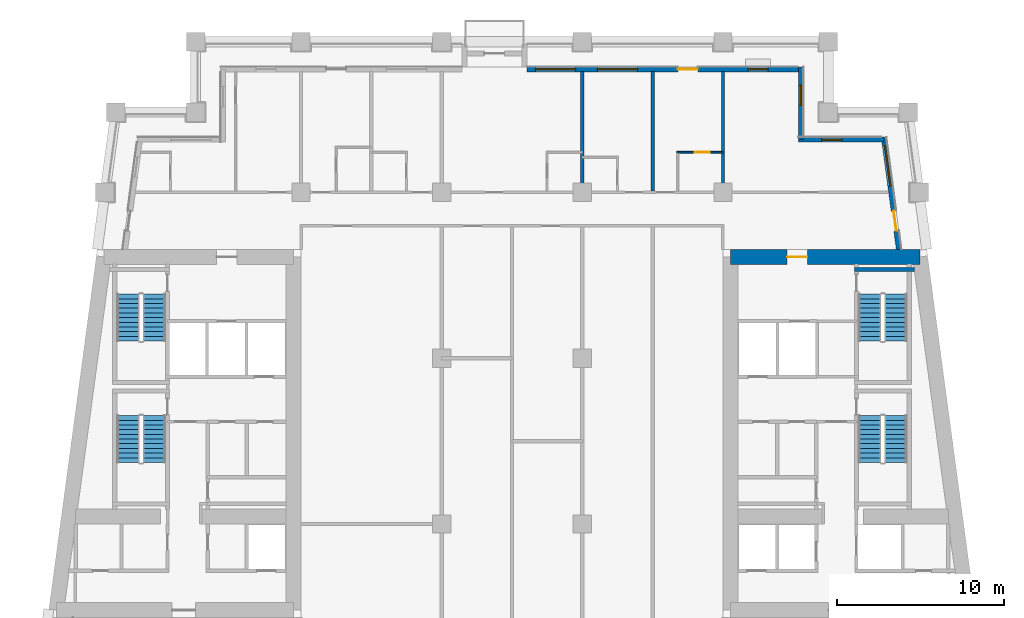
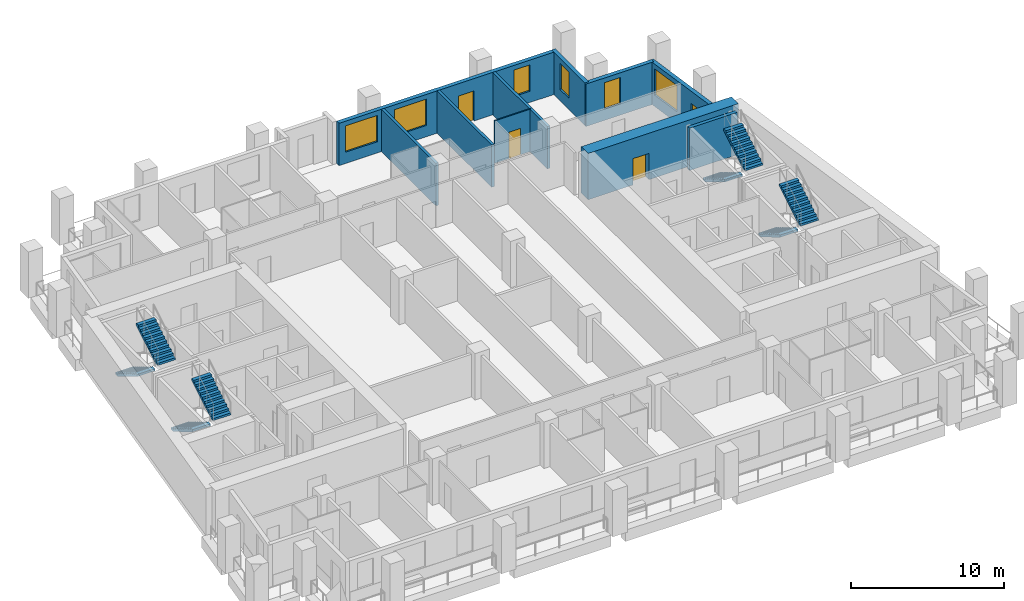
# One storey, part 7 of 12: 10 walls, 8 stair flights, 6 windows, 4 doors, 10 openings, 4 elements without a shape of their own.
"""IFC4 building model written with IfcOpenShell, lengths in metres."""

from ifc_helpers import new_model, si_unit, direction, frame, frame_2d, origin, place, context, subcontext, project, spatial, polyline, rectangle, outline, extrude, material, layer, layer_set, type_object, element, fill, aggregate, save


model = new_model("IFC4")

# Units and contexts
model_context = context("Model", 3, precision=1e-05, world=origin(), true_north=direction((0.0, 1.0)))
body_context = subcontext(model_context, "Body", "Model", "MODEL_VIEW")
ifc_project = project(units=[si_unit("LENGTHUNIT", "METRE"), si_unit("AREAUNIT", "SQUARE_METRE"), si_unit("VOLUMEUNIT", "CUBIC_METRE"), si_unit("PLANEANGLEUNIT", "RADIAN"), si_unit("MASSUNIT", "GRAM", prefix="KILO")], contexts=[model_context])

# Site, building, storey
site_placement = place(None, origin())
site = spatial("IfcSite", under=ifc_project, at=site_placement, CompositionType="ELEMENT")
building_placement = place(site_placement, origin())
building = spatial("IfcBuilding", under=site, at=building_placement, Name="Candeia Pilgrim Tower and Theatre", CompositionType="ELEMENT")
storey_placement = place(building_placement, frame((0.0, 0.0, 162.60009765625)))
storey = spatial("IfcBuildingStorey", under=building, at=storey_placement, Name="L38", CompositionType="ELEMENT", Elevation=162.60009765625)

# Wall, opening, door
ifc_material_1 = material(Name="Concrete C60/75", Category="concrete")
ifc_layer_1 = layer(ifc_material_1, 0.89990234375)
ifc_layer_set_1 = layer_set([ifc_layer_1], Name="Core wall 900 C60/75")
wall_type_1 = type_object("IfcWallType", Name="Core wall 900 C60/75", PredefinedType="SHEAR", material=ifc_layer_set_1)
wall_1_placement = place(storey_placement, frame((126.449951171875, 131.949951171875, 0.0), z_axis=(0.0, 0.0, 1.0), x_axis=(1.0, 0.0, 0.0)))
wall_1 = element("IfcWall", 1, at=wall_1_placement, inside=storey, type_object=wall_type_1, Name="Core wall E1", PredefinedType="SHEAR", context=body_context, shape_type="SweptSolid", body=[
    extrude(rectangle(XDim=11.32568359375, YDim=0.89990234375, at=frame_2d((5.662841796875, 0.0))), origin(), (0.0, 0.0, 1.0), 3.699951171875),
])
opening_1_placement = place(wall_1_placement, frame((3.386474609375, 0.0, 0.0)))
opening_1 = element("IfcOpeningElement", 2, at=opening_1_placement, cuts=wall_1, Name="Opening L38-D059", PredefinedType="OPENING", context=body_context, shape_type="SweptSolid", body=[
    extrude(rectangle(XDim=1.199951171875, YDim=2.10009765625, at=frame_2d((0.60009765625, 1.050048828125))), frame((0.0, 0.4599609375, 0.0), z_axis=(0.0, -1.0, 0.0), x_axis=(1.0, 0.0, 0.0)), (0.0, 0.0, 1.0), 0.919921875),
])
ifc_material_2 = material(Name="Steel fire door set", Category="steel")
door_type_1 = type_object("IfcDoorType", Name="D-1200-FD60", OperationType="NOTDEFINED", PredefinedType="DOOR", material=ifc_material_2)
door_1_placement = place(opening_1_placement, origin())
door_1 = element("IfcDoor", 3, at=door_1_placement, inside=storey, type_object=door_type_1, Name="Door L38-D059", OperationType="SINGLE_SWING_LEFT", OverallHeight=2.10009765625, OverallWidth=1.199951171875, PredefinedType="DOOR", context=body_context, shape_type="SweptSolid", body=[
    extrude(rectangle(XDim=1.199951171875, YDim=2.10009765625, at=frame_2d((0.60009765625, 1.050048828125))), frame((0.0, 0.02490234375, 0.0), z_axis=(0.0, -1.0, 0.0), x_axis=(1.0, 0.0, 0.0)), (0.0, 0.0, 1.0), 0.050048828125),
])
fill(opening_1, door_1)

# Wall, openings, door, window
ifc_material_3 = material(Name="Ceramic block masonry", Category="masonry")
ifc_layer_2 = layer(ifc_material_3, 0.300048828125)
ifc_layer_set_2 = layer_set([ifc_layer_2], Name="EW1 glazing-line wall 300")
wall_type_2 = type_object("IfcWallType", Name="EW1 glazing-line wall 300", PredefinedType="SOLIDWALL", material=ifc_layer_set_2)
wall_2_placement = place(storey_placement, frame((136.50439453125, 132.39990234375, 0.0), z_axis=(0.0, 0.0, 1.0), x_axis=(-0.133399697462, 0.99106231929, 0.0)))
wall_2 = element("IfcWall", 4, at=wall_2_placement, inside=storey, type_object=wall_type_2, Name="External wall L38-3.1", PredefinedType="SOLIDWALL", context=body_context, shape_type="SweptSolid", body=[
    extrude(rectangle(XDim=6.740478515625, YDim=0.300048828125, at=frame_2d((3.3701171875, 0.0))), origin(), (0.0, 0.0, 1.0), 3.3798828125),
])
opening_2_placement = place(wall_2_placement, frame((1.115234375, 0.0, 0.0)))
opening_2 = element("IfcOpeningElement", 5, at=opening_2_placement, cuts=wall_2, Name="Opening L38-ED366", PredefinedType="OPENING", context=body_context, shape_type="SweptSolid", body=[
    extrude(rectangle(XDim=1.199951171875, YDim=2.39990234375, at=frame_2d((0.60009765625, 1.199951171875))), frame((0.0, 0.16015625, 0.0), z_axis=(0.0, -1.0, 0.0), x_axis=(1.0, 0.0, 0.0)), (0.0, 0.0, 1.0), 0.320068359375),
])
opening_3_placement = place(wall_2_placement, frame((3.83544921875, 0.0, 0.89990234375)))
opening_3 = element("IfcOpeningElement", 6, at=opening_3_placement, cuts=wall_2, Name="Opening W-A", PredefinedType="OPENING", context=body_context, shape_type="SweptSolid", body=[
    extrude(rectangle(XDim=2.39990234375, YDim=2.10009765625, at=frame_2d((1.199951171875, 1.050048828125))), frame((0.0, 0.16015625, 0.0), z_axis=(0.0, -1.0, 0.0), x_axis=(1.0, 0.0, 0.0)), (0.0, 0.0, 1.0), 0.320068359375),
])
ifc_material_4 = material(Name="Aluminium framed glazed door", Category="aluminium")
door_type_2 = type_object("IfcDoorType", Name="Loggia door 1200x2400", OperationType="DOUBLE_DOOR_SINGLE_SWING", PredefinedType="DOOR", material=ifc_material_4)
door_2_placement = place(opening_2_placement, origin())
door_2 = element("IfcDoor", 7, at=door_2_placement, inside=storey, type_object=door_type_2, Name="Loggia door L38-ED366", OperationType="DOUBLE_DOOR_SINGLE_SWING", OverallHeight=2.39990234375, OverallWidth=1.199951171875, PredefinedType="DOOR", context=body_context, shape_type="SweptSolid", body=[
    extrude(rectangle(XDim=1.199951171875, YDim=2.39990234375, at=frame_2d((0.60009765625, 1.199951171875))), frame((0.0, 0.02490234375, 0.0), z_axis=(0.0, -1.0, 0.0), x_axis=(1.0, 0.0, 0.0)), (0.0, 0.0, 1.0), 0.050048828125),
])
fill(opening_2, door_2)
ifc_material_5 = material(Name="Aluminium framed double glazing", Category="aluminium")
window_type_1 = type_object("IfcWindowType", Name="W-A window 2400x2100", PartitioningType="DOUBLE_PANEL_VERTICAL", PredefinedType="WINDOW", material=ifc_material_5)
window_1_placement = place(opening_3_placement, origin())
window_1 = element("IfcWindow", 8, at=window_1_placement, inside=storey, type_object=window_type_1, Name="Window W-A L38", OverallHeight=2.10009765625, OverallWidth=2.39990234375, PartitioningType="SINGLE_PANEL", PredefinedType="WINDOW", context=body_context, shape_type="SweptSolid", body=[
    extrude(rectangle(XDim=2.39990234375, YDim=2.10009765625, at=frame_2d((1.199951171875, 1.050048828125))), frame((0.0, 0.030029296875, 0.0), z_axis=(0.0, -1.0, 0.0), x_axis=(1.0, 0.0, 0.0)), (0.0, 0.0, 1.0), 0.06005859375),
])
fill(opening_3, window_1)

# Wall, opening, window
wall_3_placement = place(storey_placement, frame((135.62255859375, 138.949951171875, 0.0), z_axis=(0.0, 0.0, 1.0), x_axis=(-1.0, 0.0, 0.0)))
wall_3 = element("IfcWall", 9, at=wall_3_placement, inside=storey, type_object=wall_type_2, Name="External wall L38-4.0", PredefinedType="SOLIDWALL", context=body_context, shape_type="SweptSolid", body=[
    extrude(rectangle(XDim=5.12255859375, YDim=0.300048828125, at=frame_2d((2.561279296875, 0.0))), origin(), (0.0, 0.0, 1.0), 3.3798828125),
])
opening_4_placement = place(wall_3_placement, frame((2.522705078125, 0.0, 0.89990234375)))
opening_4 = element("IfcOpeningElement", 10, at=opening_4_placement, cuts=wall_3, Name="Opening W-B", PredefinedType="OPENING", context=body_context, shape_type="SweptSolid", body=[
    extrude(rectangle(XDim=1.199951171875, YDim=2.10009765625, at=frame_2d((0.60009765625, 1.050048828125))), frame((0.0, 0.16015625, 0.0), z_axis=(0.0, -1.0, 0.0), x_axis=(1.0, 0.0, 0.0)), (0.0, 0.0, 1.0), 0.320068359375),
])
window_type_2 = type_object("IfcWindowType", Name="W-B window 1200x2100", PartitioningType="SINGLE_PANEL", PredefinedType="WINDOW", material=ifc_material_5)
window_2_placement = place(opening_4_placement, origin())
window_2 = element("IfcWindow", 11, at=window_2_placement, inside=storey, type_object=window_type_2, Name="Window W-B L38", OverallHeight=2.10009765625, OverallWidth=1.199951171875, PartitioningType="SINGLE_PANEL", PredefinedType="WINDOW", context=body_context, shape_type="SweptSolid", body=[
    extrude(rectangle(XDim=1.199951171875, YDim=2.10009765625, at=frame_2d((0.60009765625, 1.050048828125))), frame((0.0, 0.030029296875, 0.0), z_axis=(0.0, -1.0, 0.0), x_axis=(1.0, 0.0, 0.0)), (0.0, 0.0, 1.0), 0.06005859375),
])
fill(opening_4, window_2)

wall_4_placement = place(storey_placement, frame((130.64990234375, 138.949951171875, 0.0), z_axis=(0.0, 0.0, 1.0), x_axis=(0.0, 1.0, 0.0)))
wall_4 = element("IfcWall", 12, at=wall_4_placement, inside=storey, type_object=wall_type_2, Name="External wall L38-5.0", PredefinedType="SOLIDWALL", context=body_context, shape_type="SweptSolid", body=[
    extrude(rectangle(XDim=4.35009765625, YDim=0.300048828125, at=frame_2d((2.175048828125, 0.0))), origin(), (0.0, 0.0, 1.0), 3.3798828125),
])
opening_5_placement = place(wall_4_placement, frame((2.050048828125, 0.0, 0.89990234375)))
opening_5 = element("IfcOpeningElement", 13, at=opening_5_placement, cuts=wall_4, Name="Opening W-B", PredefinedType="OPENING", context=body_context, shape_type="SweptSolid", body=[
    extrude(rectangle(XDim=1.199951171875, YDim=2.10009765625, at=frame_2d((0.60009765625, 1.050048828125))), frame((0.0, 0.16015625, 0.0), z_axis=(0.0, -1.0, 0.0), x_axis=(1.0, 0.0, 0.0)), (0.0, 0.0, 1.0), 0.320068359375),
])
window_3_placement = place(opening_5_placement, origin())
window_3 = element("IfcWindow", 14, at=window_3_placement, inside=storey, type_object=window_type_2, Name="Window W-B L38", OverallHeight=2.10009765625, OverallWidth=1.199951171875, PartitioningType="SINGLE_PANEL", PredefinedType="WINDOW", context=body_context, shape_type="SweptSolid", body=[
    extrude(rectangle(XDim=1.199951171875, YDim=2.10009765625, at=frame_2d((0.60009765625, 1.050048828125))), frame((0.0, 0.030029296875, 0.0), z_axis=(0.0, -1.0, 0.0), x_axis=(1.0, 0.0, 0.0)), (0.0, 0.0, 1.0), 0.06005859375),
])
fill(opening_5, window_3)

# Wall, openings, door, windows
wall_5_placement = place(storey_placement, frame((130.64990234375, 143.14990234375, 0.0), z_axis=(0.0, 0.0, 1.0), x_axis=(-1.0, 0.0, 0.0)))
wall_5 = element("IfcWall", 15, at=wall_5_placement, inside=storey, type_object=wall_type_2, Name="External wall L38-6.0", PredefinedType="SOLIDWALL", context=body_context, shape_type="SweptSolid", body=[
    extrude(rectangle(XDim=16.349853515625, YDim=0.300048828125, at=frame_2d((8.1748046875, 0.0))), origin(), (0.0, 0.0, 1.0), 3.3798828125),
])
opening_6_placement = place(wall_5_placement, frame((1.949951171875, 0.0, 0.89990234375)))
opening_6 = element("IfcOpeningElement", 16, at=opening_6_placement, cuts=wall_5, Name="Opening W-B", PredefinedType="OPENING", context=body_context, shape_type="SweptSolid", body=[
    extrude(rectangle(XDim=1.199951171875, YDim=2.10009765625, at=frame_2d((0.60009765625, 1.050048828125))), frame((0.0, 0.16015625, 0.0), z_axis=(0.0, -1.0, 0.0), x_axis=(1.0, 0.0, 0.0)), (0.0, 0.0, 1.0), 0.320068359375),
])
opening_7_placement = place(wall_5_placement, frame((6.14990234375, 0.0, 0.0)))
opening_7 = element("IfcOpeningElement", 17, at=opening_7_placement, cuts=wall_5, Name="Opening L38-ED367", PredefinedType="OPENING", context=body_context, shape_type="SweptSolid", body=[
    extrude(rectangle(XDim=1.199951171875, YDim=2.39990234375, at=frame_2d((0.60009765625, 1.199951171875))), frame((0.0, 0.16015625, 0.0), z_axis=(0.0, -1.0, 0.0), x_axis=(1.0, 0.0, 0.0)), (0.0, 0.0, 1.0), 0.320068359375),
])
opening_8_placement = place(wall_5_placement, frame((9.75, 0.0, 0.89990234375)))
opening_8 = element("IfcOpeningElement", 18, at=opening_8_placement, cuts=wall_5, Name="Opening W-A", PredefinedType="OPENING", context=body_context, shape_type="SweptSolid", body=[
    extrude(rectangle(XDim=2.39990234375, YDim=2.10009765625, at=frame_2d((1.199951171875, 1.050048828125))), frame((0.0, 0.16015625, 0.0), z_axis=(0.0, -1.0, 0.0), x_axis=(1.0, 0.0, 0.0)), (0.0, 0.0, 1.0), 0.320068359375),
])
opening_9_placement = place(wall_5_placement, frame((13.449951171875, 0.0, 0.89990234375)))
opening_9 = element("IfcOpeningElement", 19, at=opening_9_placement, cuts=wall_5, Name="Opening W-A", PredefinedType="OPENING", context=body_context, shape_type="SweptSolid", body=[
    extrude(rectangle(XDim=2.39990234375, YDim=2.10009765625, at=frame_2d((1.199951171875, 1.050048828125))), frame((0.0, 0.16015625, 0.0), z_axis=(0.0, -1.0, 0.0), x_axis=(1.0, 0.0, 0.0)), (0.0, 0.0, 1.0), 0.320068359375),
])
door_3_placement = place(opening_7_placement, origin())
door_3 = element("IfcDoor", 20, at=door_3_placement, inside=storey, type_object=door_type_2, Name="Loggia door L38-ED367", OperationType="DOUBLE_DOOR_SINGLE_SWING", OverallHeight=2.39990234375, OverallWidth=1.199951171875, PredefinedType="DOOR", context=body_context, shape_type="SweptSolid", body=[
    extrude(rectangle(XDim=1.199951171875, YDim=2.39990234375, at=frame_2d((0.60009765625, 1.199951171875))), frame((0.0, 0.02490234375, 0.0), z_axis=(0.0, -1.0, 0.0), x_axis=(1.0, 0.0, 0.0)), (0.0, 0.0, 1.0), 0.050048828125),
])
fill(opening_7, door_3)
window_4_placement = place(opening_8_placement, origin())
window_4 = element("IfcWindow", 21, at=window_4_placement, inside=storey, type_object=window_type_1, Name="Window W-A L38", OverallHeight=2.10009765625, OverallWidth=2.39990234375, PartitioningType="SINGLE_PANEL", PredefinedType="WINDOW", context=body_context, shape_type="SweptSolid", body=[
    extrude(rectangle(XDim=2.39990234375, YDim=2.10009765625, at=frame_2d((1.199951171875, 1.050048828125))), frame((0.0, 0.030029296875, 0.0), z_axis=(0.0, -1.0, 0.0), x_axis=(1.0, 0.0, 0.0)), (0.0, 0.0, 1.0), 0.06005859375),
])
fill(opening_8, window_4)
window_5_placement = place(opening_9_placement, origin())
window_5 = element("IfcWindow", 22, at=window_5_placement, inside=storey, type_object=window_type_1, Name="Window W-A L38", OverallHeight=2.10009765625, OverallWidth=2.39990234375, PartitioningType="SINGLE_PANEL", PredefinedType="WINDOW", context=body_context, shape_type="SweptSolid", body=[
    extrude(rectangle(XDim=2.39990234375, YDim=2.10009765625, at=frame_2d((1.199951171875, 1.050048828125))), frame((0.0, 0.030029296875, 0.0), z_axis=(0.0, -1.0, 0.0), x_axis=(1.0, 0.0, 0.0)), (0.0, 0.0, 1.0), 0.06005859375),
])
fill(opening_9, window_5)
window_6_placement = place(opening_6_placement, origin())
window_6 = element("IfcWindow", 23, at=window_6_placement, inside=storey, type_object=window_type_2, Name="Window W-B L38", OverallHeight=2.10009765625, OverallWidth=1.199951171875, PartitioningType="SINGLE_PANEL", PredefinedType="WINDOW", context=body_context, shape_type="SweptSolid", body=[
    extrude(rectangle(XDim=1.199951171875, YDim=2.10009765625, at=frame_2d((0.60009765625, 1.050048828125))), frame((0.0, 0.030029296875, 0.0), z_axis=(0.0, -1.0, 0.0), x_axis=(1.0, 0.0, 0.0)), (0.0, 0.0, 1.0), 0.06005859375),
])
fill(opening_6, window_6)

# Wall, opening, door
ifc_material_6 = material(Name="Gypsum board partition on steel studs", Category="steel")
ifc_layer_3 = layer(ifc_material_6, 0.10009765625)
ifc_layer_set_3 = layer_set([ifc_layer_3], Name="PW-100 room partition")
wall_type_3 = type_object("IfcWallType", Name="PW-100 room partition", PredefinedType="PARTITIONING", material=ifc_layer_set_3)
wall_6_placement = place(storey_placement, frame((123.25, 138.199951171875, 0.0), z_axis=(0.0, 0.0, 1.0), x_axis=(1.0, 0.0, 0.0)))
wall_6 = element("IfcWall", 24, at=wall_6_placement, inside=storey, type_object=wall_type_3, Name="Room partition L38-046", PredefinedType="PARTITIONING", context=body_context, shape_type="SweptSolid", body=[
    extrude(rectangle(XDim=2.75, YDim=0.10009765625, at=frame_2d((1.375, 0.0))), origin(), (0.0, 0.0, 1.0), 3.3798828125),
])
opening_10_placement = place(wall_6_placement, frame((1.06005859375, 0.0, 0.0)))
opening_10 = element("IfcOpeningElement", 25, at=opening_10_placement, cuts=wall_6, Name="Opening L38-D046", PredefinedType="OPENING", context=body_context, shape_type="SweptSolid", body=[
    extrude(rectangle(XDim=0.89990234375, YDim=2.10009765625, at=frame_2d((0.449951171875, 1.050048828125))), frame((0.0, 0.06005859375, 0.0), z_axis=(0.0, -1.0, 0.0), x_axis=(1.0, 0.0, 0.0)), (0.0, 0.0, 1.0), 0.1201171875),
])
ifc_material_7 = material(Name="Timber door leaf", Category="wood")
door_type_3 = type_object("IfcDoorType", Name="D-900", OperationType="NOTDEFINED", PredefinedType="DOOR", material=ifc_material_7)
door_4_placement = place(opening_10_placement, origin())
door_4 = element("IfcDoor", 26, at=door_4_placement, inside=storey, type_object=door_type_3, Name="Door L38-D046", OperationType="SINGLE_SWING_RIGHT", OverallHeight=2.10009765625, OverallWidth=0.89990234375, PredefinedType="DOOR", context=body_context, shape_type="SweptSolid", body=[
    extrude(rectangle(XDim=0.89990234375, YDim=2.10009765625, at=frame_2d((0.449951171875, 1.050048828125))), frame((0.0, 0.02490234375, 0.0), z_axis=(0.0, -1.0, 0.0), x_axis=(1.0, 0.0, 0.0)), (0.0, 0.0, 1.0), 0.050048828125),
])
fill(opening_10, door_4)

# Walls
ifc_layer_4 = layer(ifc_material_6, 0.199951171875)
ifc_layer_set_4 = layer_set([ifc_layer_4], Name="PW-200 party wall")
wall_type_4 = type_object("IfcWallType", Name="PW-200 party wall", PredefinedType="PARTITIONING", material=ifc_layer_set_4)
for number, where, z_axis, x_axis, name in (
    (27, (117.60009765625, 135.875, 0.0), (0.0, 0.0, 1.0), (0.0, 1.0, 0.0), "Party wall L38-088"),
    (28, (121.800048828125, 135.875, 0.0), (0.0, 0.0, 1.0), (0.0, 1.0, 0.0), "Party wall L38-091"),
    (29, (126.0, 135.875, 0.0), (0.0, 0.0, 1.0), (0.0, 1.0, 0.0), "Party wall L38-094"),
):
    element("IfcWall", number, at=place(storey_placement, frame(where, z_axis=z_axis, x_axis=x_axis)), inside=storey, type_object=wall_type_4, Name=name, PredefinedType="PARTITIONING", context=body_context, shape_type="SweptSolid", body=[
        extrude(rectangle(XDim=7.135009765625, YDim=0.199951171875, at=frame_2d((3.5673828125, 0.0))), origin(), (0.0, 0.0, 1.0), 3.3798828125),
    ])
ifc_material_8 = material(Name="Concrete C40/50", Category="concrete")
ifc_layer_5 = layer(ifc_material_8, 0.25)
ifc_layer_set_5 = layer_set([ifc_layer_5], Name="SW-250 stair wall")
wall_type_5 = type_object("IfcWallType", Name="SW-250 stair wall", PredefinedType="PARTITIONING", material=ifc_layer_set_5)
wall_7_placement = place(storey_placement, frame((133.847900390625, 131.199951171875, 0.0), z_axis=(0.0, 0.0, 1.0), x_axis=(1.0, 0.0, 0.0)))
element("IfcWall", 30, at=wall_7_placement, inside=storey, type_object=wall_type_5, Name="Stair wall L38-039", PredefinedType="PARTITIONING", context=body_context, shape_type="SweptSolid", body=[
    extrude(rectangle(XDim=3.604736328125, YDim=0.25, at=frame_2d((1.80224609375, 0.0))), origin(), (0.0, 0.0, 1.0), 3.3798828125),
])

# Stair, stair flights
stair_type = type_object("IfcStairType", Name="ST-TWR dog-leg escape stair", PredefinedType="HALF_TURN_STAIR", material=ifc_material_8)
stair_1_placement = place(storey_placement, origin())
stair_1 = element("IfcStair", 31, at=stair_1_placement, inside=storey, type_object=stair_type, Name="L38 Escape stair ST1", PredefinedType="HALF_TURN_STAIR")
stair_flight_type = type_object("IfcStairFlightType", Name="SFL-RC stair flight", PredefinedType="STRAIGHT", material=ifc_material_8)
stair_flight_1_placement = place(storey_placement, frame((90.47705078125, 122.47509765625, 0.0), z_axis=(0.0, 0.0, 1.0), x_axis=(0.0, -1.0, 0.0)))
stair_flight_1 = element("IfcStairFlight", 32, at=stair_flight_1_placement, type_object=stair_flight_type, Name="ST1 flight 1", NumberOfRisers=11, NumberOfTreads=10, PredefinedType="STRAIGHT", RiserHeight=0.168181818, TreadLength=0.28, context=body_context, shape_type="SweptSolid", body=[
    extrude(outline(polyline([(0.0, 0.0), (0.0, 0.168212890625), (0.280029296875, 0.168212890625), (0.280029296875, 0.33642578125), (0.56005859375, 0.33642578125), (0.56005859375, 0.504638671875), (0.840087890625, 0.504638671875), (0.840087890625, 0.672607421875), (1.1201171875, 0.672607421875), (1.1201171875, 0.8408203125), (1.39990234375, 0.8408203125), (1.39990234375, 1.009033203125), (1.679931640625, 1.009033203125), (1.679931640625, 1.17724609375), (1.9599609375, 1.17724609375), (1.9599609375, 1.345458984375), (2.239990234375, 1.345458984375), (2.239990234375, 1.513671875), (2.52001953125, 1.513671875), (2.52001953125, 1.681884765625), (2.800048828125, 1.681884765625), (2.800048828125, 1.85009765625), (2.800048828125, 1.5068359375), (0.291015625, 0.0), (0.0, 0.0)])), frame((0.0, 0.675048828125, 0.0), z_axis=(0.0, -1.0, 0.0), x_axis=(1.0, 0.0, 0.0)), (0.0, 0.0, 1.0), 1.35009765625),
])
stair_flight_2_placement = place(storey_placement, frame((92.027099609375, 119.675048828125, 1.849853515625), z_axis=(0.0, 0.0, 1.0), x_axis=(0.0, 1.0, 0.0)))
stair_flight_2 = element("IfcStairFlight", 33, at=stair_flight_2_placement, type_object=stair_flight_type, Name="ST1 flight 2", NumberOfRisers=11, NumberOfTreads=10, PredefinedType="STRAIGHT", RiserHeight=0.168181818, TreadLength=0.28, context=body_context, shape_type="SweptSolid", body=[
    extrude(outline(polyline([(0.0, 0.0), (0.0, 0.168212890625), (0.280029296875, 0.168212890625), (0.280029296875, 0.33642578125), (0.56005859375, 0.33642578125), (0.56005859375, 0.504638671875), (0.840087890625, 0.504638671875), (0.840087890625, 0.672607421875), (1.1201171875, 0.672607421875), (1.1201171875, 0.8408203125), (1.39990234375, 0.8408203125), (1.39990234375, 1.009033203125), (1.679931640625, 1.009033203125), (1.679931640625, 1.17724609375), (1.9599609375, 1.17724609375), (1.9599609375, 1.345458984375), (2.239990234375, 1.345458984375), (2.239990234375, 1.513671875), (2.52001953125, 1.513671875), (2.52001953125, 1.681884765625), (2.800048828125, 1.681884765625), (2.800048828125, 1.85009765625), (2.800048828125, 1.5068359375), (0.291015625, 0.0), (0.0, 0.0)])), frame((0.0, 0.675048828125, 0.0), z_axis=(0.0, -1.0, 0.0), x_axis=(1.0, 0.0, 0.0)), (0.0, 0.0, 1.0), 1.35009765625),
])
aggregate(stair_1, [stair_flight_1, stair_flight_2])

stair_2_placement = place(storey_placement, origin())
stair_2 = element("IfcStair", 34, at=stair_2_placement, inside=storey, type_object=stair_type, Name="L38 Escape stair ST2", PredefinedType="HALF_TURN_STAIR")
stair_flight_3_placement = place(storey_placement, frame((90.47705078125, 129.72509765625, 0.0), z_axis=(0.0, 0.0, 1.0), x_axis=(0.0, -1.0, 0.0)))
stair_flight_3 = element("IfcStairFlight", 35, at=stair_flight_3_placement, type_object=stair_flight_type, Name="ST2 flight 1", NumberOfRisers=11, NumberOfTreads=10, PredefinedType="STRAIGHT", RiserHeight=0.168181818, TreadLength=0.28, context=body_context, shape_type="SweptSolid", body=[
    extrude(outline(polyline([(0.0, 0.0), (0.0, 0.168212890625), (0.280029296875, 0.168212890625), (0.280029296875, 0.33642578125), (0.56005859375, 0.33642578125), (0.56005859375, 0.504638671875), (0.840087890625, 0.504638671875), (0.840087890625, 0.672607421875), (1.1201171875, 0.672607421875), (1.1201171875, 0.8408203125), (1.39990234375, 0.8408203125), (1.39990234375, 1.009033203125), (1.679931640625, 1.009033203125), (1.679931640625, 1.17724609375), (1.9599609375, 1.17724609375), (1.9599609375, 1.345458984375), (2.239990234375, 1.345458984375), (2.239990234375, 1.513671875), (2.52001953125, 1.513671875), (2.52001953125, 1.681884765625), (2.800048828125, 1.681884765625), (2.800048828125, 1.85009765625), (2.800048828125, 1.5068359375), (0.291015625, 0.0), (0.0, 0.0)])), frame((0.0, 0.675048828125, 0.0), z_axis=(0.0, -1.0, 0.0), x_axis=(1.0, 0.0, 0.0)), (0.0, 0.0, 1.0), 1.35009765625),
])
stair_flight_4_placement = place(storey_placement, frame((92.027099609375, 126.925048828125, 1.849853515625), z_axis=(0.0, 0.0, 1.0), x_axis=(0.0, 1.0, 0.0)))
stair_flight_4 = element("IfcStairFlight", 36, at=stair_flight_4_placement, type_object=stair_flight_type, Name="ST2 flight 2", NumberOfRisers=11, NumberOfTreads=10, PredefinedType="STRAIGHT", RiserHeight=0.168181818, TreadLength=0.28, context=body_context, shape_type="SweptSolid", body=[
    extrude(outline(polyline([(0.0, 0.0), (0.0, 0.168212890625), (0.280029296875, 0.168212890625), (0.280029296875, 0.33642578125), (0.56005859375, 0.33642578125), (0.56005859375, 0.504638671875), (0.840087890625, 0.504638671875), (0.840087890625, 0.672607421875), (1.1201171875, 0.672607421875), (1.1201171875, 0.8408203125), (1.39990234375, 0.8408203125), (1.39990234375, 1.009033203125), (1.679931640625, 1.009033203125), (1.679931640625, 1.17724609375), (1.9599609375, 1.17724609375), (1.9599609375, 1.345458984375), (2.239990234375, 1.345458984375), (2.239990234375, 1.513671875), (2.52001953125, 1.513671875), (2.52001953125, 1.681884765625), (2.800048828125, 1.681884765625), (2.800048828125, 1.85009765625), (2.800048828125, 1.5068359375), (0.291015625, 0.0), (0.0, 0.0)])), frame((0.0, 0.675048828125, 0.0), z_axis=(0.0, -1.0, 0.0), x_axis=(1.0, 0.0, 0.0)), (0.0, 0.0, 1.0), 1.35009765625),
])
aggregate(stair_2, [stair_flight_3, stair_flight_4])

stair_3_placement = place(storey_placement, origin())
stair_3 = element("IfcStair", 37, at=stair_3_placement, inside=storey, type_object=stair_type, Name="L38 Escape stair ST3", PredefinedType="HALF_TURN_STAIR")
stair_flight_5_placement = place(storey_placement, frame((134.77294921875, 122.47509765625, 0.0), z_axis=(0.0, 0.0, 1.0), x_axis=(0.0, -1.0, 0.0)))
stair_flight_5 = element("IfcStairFlight", 38, at=stair_flight_5_placement, type_object=stair_flight_type, Name="ST3 flight 1", NumberOfRisers=11, NumberOfTreads=10, PredefinedType="STRAIGHT", RiserHeight=0.168181818, TreadLength=0.28, context=body_context, shape_type="SweptSolid", body=[
    extrude(outline(polyline([(0.0, 0.0), (0.0, 0.168212890625), (0.280029296875, 0.168212890625), (0.280029296875, 0.33642578125), (0.56005859375, 0.33642578125), (0.56005859375, 0.504638671875), (0.840087890625, 0.504638671875), (0.840087890625, 0.672607421875), (1.1201171875, 0.672607421875), (1.1201171875, 0.8408203125), (1.39990234375, 0.8408203125), (1.39990234375, 1.009033203125), (1.679931640625, 1.009033203125), (1.679931640625, 1.17724609375), (1.9599609375, 1.17724609375), (1.9599609375, 1.345458984375), (2.239990234375, 1.345458984375), (2.239990234375, 1.513671875), (2.52001953125, 1.513671875), (2.52001953125, 1.681884765625), (2.800048828125, 1.681884765625), (2.800048828125, 1.85009765625), (2.800048828125, 1.5068359375), (0.291015625, 0.0), (0.0, 0.0)])), frame((0.0, 0.675048828125, 0.0), z_axis=(0.0, -1.0, 0.0), x_axis=(1.0, 0.0, 0.0)), (0.0, 0.0, 1.0), 1.35009765625),
])
stair_flight_6_placement = place(storey_placement, frame((136.322998046875, 119.675048828125, 1.849853515625), z_axis=(0.0, 0.0, 1.0), x_axis=(0.0, 1.0, 0.0)))
stair_flight_6 = element("IfcStairFlight", 39, at=stair_flight_6_placement, type_object=stair_flight_type, Name="ST3 flight 2", NumberOfRisers=11, NumberOfTreads=10, PredefinedType="STRAIGHT", RiserHeight=0.168181818, TreadLength=0.28, context=body_context, shape_type="SweptSolid", body=[
    extrude(outline(polyline([(0.0, 0.0), (0.0, 0.168212890625), (0.280029296875, 0.168212890625), (0.280029296875, 0.33642578125), (0.56005859375, 0.33642578125), (0.56005859375, 0.504638671875), (0.840087890625, 0.504638671875), (0.840087890625, 0.672607421875), (1.1201171875, 0.672607421875), (1.1201171875, 0.8408203125), (1.39990234375, 0.8408203125), (1.39990234375, 1.009033203125), (1.679931640625, 1.009033203125), (1.679931640625, 1.17724609375), (1.9599609375, 1.17724609375), (1.9599609375, 1.345458984375), (2.239990234375, 1.345458984375), (2.239990234375, 1.513671875), (2.52001953125, 1.513671875), (2.52001953125, 1.681884765625), (2.800048828125, 1.681884765625), (2.800048828125, 1.85009765625), (2.800048828125, 1.5068359375), (0.291015625, 0.0), (0.0, 0.0)])), frame((0.0, 0.675048828125, 0.0), z_axis=(0.0, -1.0, 0.0), x_axis=(1.0, 0.0, 0.0)), (0.0, 0.0, 1.0), 1.35009765625),
])
aggregate(stair_3, [stair_flight_5, stair_flight_6])

stair_4_placement = place(storey_placement, origin())
stair_4 = element("IfcStair", 40, at=stair_4_placement, inside=storey, type_object=stair_type, Name="L38 Escape stair ST4", PredefinedType="HALF_TURN_STAIR")
stair_flight_7_placement = place(storey_placement, frame((134.77294921875, 129.72509765625, 0.0), z_axis=(0.0, 0.0, 1.0), x_axis=(0.0, -1.0, 0.0)))
stair_flight_7 = element("IfcStairFlight", 41, at=stair_flight_7_placement, type_object=stair_flight_type, Name="ST4 flight 1", NumberOfRisers=11, NumberOfTreads=10, PredefinedType="STRAIGHT", RiserHeight=0.168181818, TreadLength=0.28, context=body_context, shape_type="SweptSolid", body=[
    extrude(outline(polyline([(0.0, 0.0), (0.0, 0.168212890625), (0.280029296875, 0.168212890625), (0.280029296875, 0.33642578125), (0.56005859375, 0.33642578125), (0.56005859375, 0.504638671875), (0.840087890625, 0.504638671875), (0.840087890625, 0.672607421875), (1.1201171875, 0.672607421875), (1.1201171875, 0.8408203125), (1.39990234375, 0.8408203125), (1.39990234375, 1.009033203125), (1.679931640625, 1.009033203125), (1.679931640625, 1.17724609375), (1.9599609375, 1.17724609375), (1.9599609375, 1.345458984375), (2.239990234375, 1.345458984375), (2.239990234375, 1.513671875), (2.52001953125, 1.513671875), (2.52001953125, 1.681884765625), (2.800048828125, 1.681884765625), (2.800048828125, 1.85009765625), (2.800048828125, 1.5068359375), (0.291015625, 0.0), (0.0, 0.0)])), frame((0.0, 0.675048828125, 0.0), z_axis=(0.0, -1.0, 0.0), x_axis=(1.0, 0.0, 0.0)), (0.0, 0.0, 1.0), 1.35009765625),
])
stair_flight_8_placement = place(storey_placement, frame((136.322998046875, 126.925048828125, 1.849853515625), z_axis=(0.0, 0.0, 1.0), x_axis=(0.0, 1.0, 0.0)))
stair_flight_8 = element("IfcStairFlight", 42, at=stair_flight_8_placement, type_object=stair_flight_type, Name="ST4 flight 2", NumberOfRisers=11, NumberOfTreads=10, PredefinedType="STRAIGHT", RiserHeight=0.168181818, TreadLength=0.28, context=body_context, shape_type="SweptSolid", body=[
    extrude(outline(polyline([(0.0, 0.0), (0.0, 0.168212890625), (0.280029296875, 0.168212890625), (0.280029296875, 0.33642578125), (0.56005859375, 0.33642578125), (0.56005859375, 0.504638671875), (0.840087890625, 0.504638671875), (0.840087890625, 0.672607421875), (1.1201171875, 0.672607421875), (1.1201171875, 0.8408203125), (1.39990234375, 0.8408203125), (1.39990234375, 1.009033203125), (1.679931640625, 1.009033203125), (1.679931640625, 1.17724609375), (1.9599609375, 1.17724609375), (1.9599609375, 1.345458984375), (2.239990234375, 1.345458984375), (2.239990234375, 1.513671875), (2.52001953125, 1.513671875), (2.52001953125, 1.681884765625), (2.800048828125, 1.681884765625), (2.800048828125, 1.85009765625), (2.800048828125, 1.5068359375), (0.291015625, 0.0), (0.0, 0.0)])), frame((0.0, 0.675048828125, 0.0), z_axis=(0.0, -1.0, 0.0), x_axis=(1.0, 0.0, 0.0)), (0.0, 0.0, 1.0), 1.35009765625),
])
aggregate(stair_4, [stair_flight_7, stair_flight_8])

save(model, "model.ifc")
